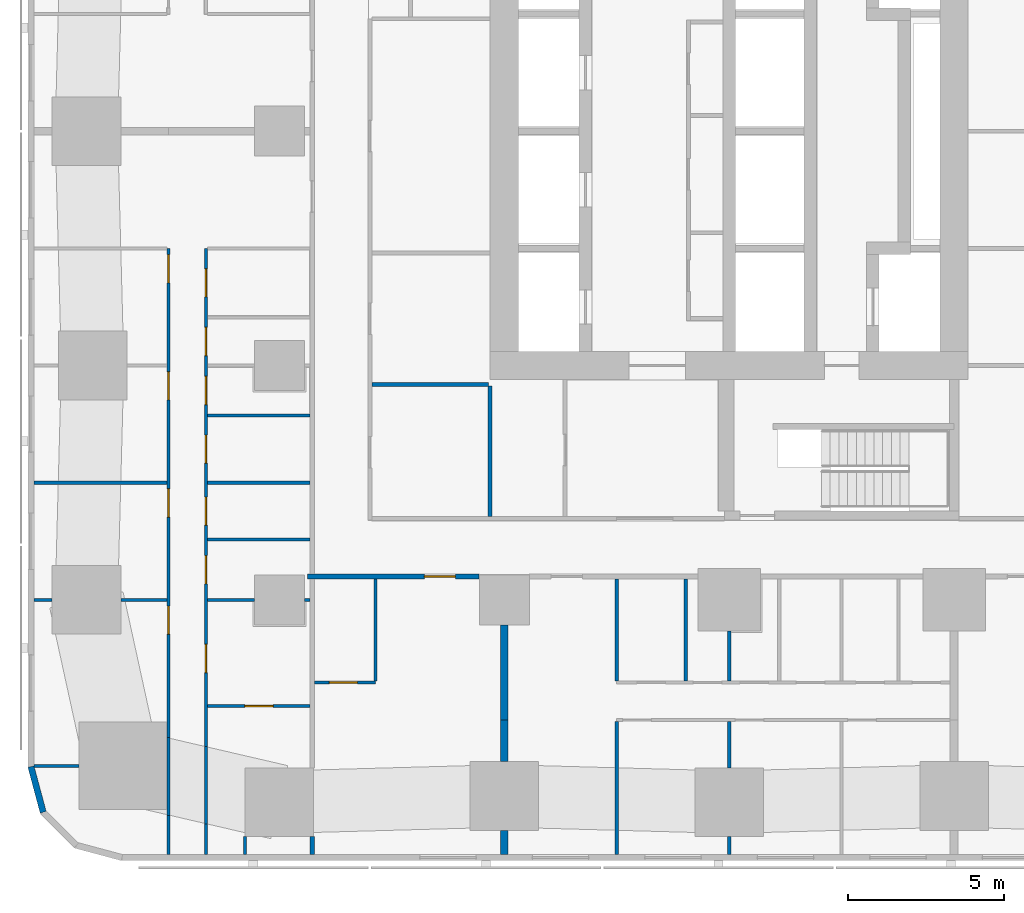
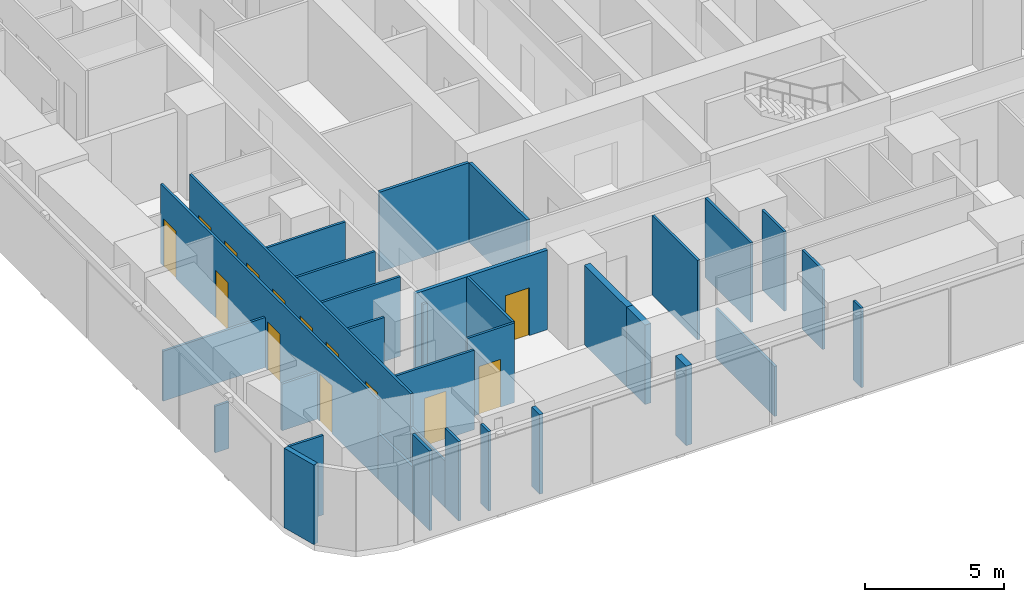
# One storey, part 2 of 15: 33 walls, 14 doors, 14 openings.
"""IFC4 building model written with IfcOpenShell, lengths in metres."""

from ifc_helpers import new_model, si_unit, direction, frame, frame_2d, origin, place, context, subcontext, project, spatial, rectangle, extrude, material, layer, layer_set, type_object, element, fill, save


model = new_model("IFC4")

# Units and contexts
model_context = context("Model", 3, precision=1e-05, world=origin(), true_north=direction((0.0, 1.0)))
body_context = subcontext(model_context, "Body", "Model", "MODEL_VIEW")
ifc_project = project(units=[si_unit("LENGTHUNIT", "METRE"), si_unit("AREAUNIT", "SQUARE_METRE"), si_unit("VOLUMEUNIT", "CUBIC_METRE"), si_unit("PLANEANGLEUNIT", "RADIAN"), si_unit("MASSUNIT", "GRAM", prefix="KILO")], contexts=[model_context])

# Site, building, storey
site_placement = place(None, origin())
site = spatial("IfcSite", under=ifc_project, at=site_placement, CompositionType="ELEMENT")
building_placement = place(site_placement, origin())
building = spatial("IfcBuilding", under=site, at=building_placement, Name="Sheger Commons Tower", CompositionType="ELEMENT")
storey_placement = place(building_placement, frame((0.0, 0.0, 77.89990234375)))
storey = spatial("IfcBuildingStorey", under=building, at=storey_placement, Name="L19", CompositionType="ELEMENT", Elevation=77.89990234375)

# Wall
ifc_material_1 = material(Name="Hollow concrete block masonry, skimmed both sides", Category="masonry")
ifc_layer_1 = layer(ifc_material_1, 0.14990234375)
ifc_layer_set_1 = layer_set([ifc_layer_1], Name="CORRIDOR WALL 150")
wall_type_1 = type_object("IfcWallType", Name="CORRIDOR WALL 150", PredefinedType="SOLIDWALL", material=ifc_layer_set_1)
wall_1_placement = place(storey_placement, frame((8.25, -0.64990234375, 0.0), z_axis=(0.0, 0.0, 1.0), x_axis=(0.0, 1.0, 0.0)))
element("IfcWall", 1, at=wall_1_placement, inside=storey, type_object=wall_type_1, Name="Corridor wall L19", PredefinedType="SOLIDWALL", context=body_context, shape_type="SweptSolid", body=[
    extrude(rectangle(XDim=0.573974609375, YDim=0.14990234375, at=frame_2d((0.287109375, 0.0))), origin(), (0.0, 0.0, 1.0), 3.5),
])

# Wall, opening, door
wall_2_placement = place(storey_placement, frame((13.59912109375, 8.25, 0.0), z_axis=(0.0, 0.0, 1.0), x_axis=(-1.0, 0.0, 0.0)))
wall_2 = element("IfcWall", 2, at=wall_2_placement, inside=storey, type_object=wall_type_1, Name="Corridor wall L19", PredefinedType="SOLIDWALL", context=body_context, shape_type="SweptSolid", body=[
    extrude(rectangle(XDim=5.4990234375, YDim=0.14990234375, at=frame_2d((2.74951171875, 0.0))), origin(), (0.0, 0.0, 1.0), 3.5),
])
opening_1_placement = place(wall_2_placement, frame((0.760009765625, 0.0, 0.0)))
opening_1 = element("IfcOpeningElement", 3, at=opening_1_placement, cuts=wall_2, Name="Opening D1", PredefinedType="OPENING", context=body_context, shape_type="SweptSolid", body=[
    extrude(rectangle(XDim=1.0, YDim=2.10009765625, at=frame_2d((0.5, 1.050048828125))), frame((0.0, 0.0849609375, 0.0), z_axis=(0.0, -1.0, 0.0), x_axis=(1.0, 0.0, 0.0)), (0.0, 0.0, 1.0), 0.169921875),
])
ifc_material_2 = material(Name="Steel door set, fire rated", Category="steel")
door_type_1 = type_object("IfcDoorType", Name="FLAT ENTRANCE DOOR 1000x2100", OperationType="NOTDEFINED", PredefinedType="DOOR", material=ifc_material_2)
door_1_placement = place(opening_1_placement, origin())
door_1 = element("IfcDoor", 4, at=door_1_placement, inside=storey, type_object=door_type_1, Name="Flat entrance door", OperationType="SINGLE_SWING_LEFT", OverallHeight=2.10009765625, OverallWidth=1.0, PredefinedType="DOOR", context=body_context, shape_type="SweptSolid", body=[
    extrude(rectangle(XDim=1.0, YDim=2.10009765625, at=frame_2d((0.5, 1.050048828125))), frame((0.0, 0.02490234375, 0.0), z_axis=(0.0, -1.0, 0.0), x_axis=(1.0, 0.0, 0.0)), (0.0, 0.0, 1.0), 0.050048828125),
])
fill(opening_1, door_1)

# Walls
ifc_material_3 = material(Name="Dense concrete block masonry, plastered both sides (separating wall between flats)", Category="masonry")
ifc_layer_2 = layer(ifc_material_3, 0.25)
ifc_layer_set_2 = layer_set([ifc_layer_2], Name="DEMISING WALL 250")
wall_type_2 = type_object("IfcWallType", Name="DEMISING WALL 250", PredefinedType="SOLIDWALL", material=ifc_layer_set_2)
wall_3_placement = place(storey_placement, frame((14.39990234375, -0.64990234375, 0.0), z_axis=(0.0, 0.0, 1.0), x_axis=(0.0, 1.0, 0.0)))
element("IfcWall", 5, at=wall_3_placement, inside=storey, type_object=wall_type_2, Name="Demising wall L19", PredefinedType="SOLIDWALL", context=body_context, shape_type="SweptSolid", body=[
    extrude(rectangle(XDim=0.77392578125, YDim=0.25, at=frame_2d((0.386962890625, 0.0))), origin(), (0.0, 0.0, 1.0), 3.5),
])
wall_4_placement = place(storey_placement, frame((14.39990234375, 2.325927734375, 0.0), z_axis=(0.0, 0.0, 1.0), x_axis=(0.0, 1.0, 0.0)))
element("IfcWall", 6, at=wall_4_placement, inside=storey, type_object=wall_type_2, Name="Demising wall L19", PredefinedType="SOLIDWALL", context=body_context, shape_type="SweptSolid", body=[
    extrude(rectangle(XDim=1.323974609375, YDim=0.25, at=frame_2d((0.662109375, 0.0))), origin(), (0.0, 0.0, 1.0), 3.5),
])
wall_5_placement = place(storey_placement, frame((14.39990234375, 3.64990234375, 0.0), z_axis=(0.0, 0.0, 1.0), x_axis=(0.0, 1.0, 0.0)))
element("IfcWall", 7, at=wall_5_placement, inside=storey, type_object=wall_type_2, Name="Demising wall L19", PredefinedType="SOLIDWALL", context=body_context, shape_type="SweptSolid", body=[
    extrude(rectangle(XDim=3.049072265625, YDim=0.25, at=frame_2d((1.5244140625, 0.0))), origin(), (0.0, 0.0, 1.0), 3.5),
])
ifc_material_4 = material(Name="Rendered concrete block masonry, dark grey", Category="masonry")
ifc_layer_3 = layer(ifc_material_4, 0.199951171875)
ifc_layer_set_3 = layer_set([ifc_layer_3], Name="FACADE WALL 200")
wall_type_3 = type_object("IfcWallType", Name="FACADE WALL 200", PredefinedType="SOLIDWALL", material=ifc_layer_set_3)
wall_6_placement = place(storey_placement, frame((-0.75, 2.1630859375, 0.0), z_axis=(0.0, 0.0, 1.0), x_axis=(0.259168954497, -0.965832000415, 0.0)))
element("IfcWall", 8, at=wall_6_placement, inside=storey, type_object=wall_type_3, Name="Facade wall L19", PredefinedType="SOLIDWALL", context=body_context, shape_type="SweptSolid", body=[
    extrude(rectangle(XDim=1.512939453125, YDim=0.199951171875, at=frame_2d((0.75634765625, 0.0))), origin(), (0.0, 0.0, 1.0), 3.5),
])
ifc_material_5 = material(Name="Gypsum board on steel studs", Category="steel")
ifc_layer_4 = layer(ifc_material_5, 0.10009765625)
ifc_layer_set_4 = layer_set([ifc_layer_4], Name="PARTITION 100")
wall_type_4 = type_object("IfcWallType", Name="PARTITION 100", PredefinedType="PARTITIONING", material=ifc_layer_set_4)
wall_7_placement = place(storey_placement, frame((6.10009765625, -0.64990234375, 0.0), z_axis=(0.0, 0.0, 1.0), x_axis=(0.0, 1.0, 0.0)))
element("IfcWall", 9, at=wall_7_placement, inside=storey, type_object=wall_type_4, Name="Partition L19", PredefinedType="PARTITIONING", context=body_context, shape_type="SweptSolid", body=[
    extrude(rectangle(XDim=0.574951171875, YDim=0.10009765625, at=frame_2d((0.28759765625, 0.0))), origin(), (0.0, 0.0, 1.0), 3.5),
])
wall_8_placement = place(storey_placement, frame((3.64990234375, -0.64990234375, 0.0), z_axis=(0.0, 0.0, 1.0), x_axis=(0.0, 1.0, 0.0)))
element("IfcWall", 10, at=wall_8_placement, inside=storey, type_object=wall_type_4, Name="Partition L19", PredefinedType="PARTITIONING", context=body_context, shape_type="SweptSolid", body=[
    extrude(rectangle(XDim=1.25390625, YDim=0.10009765625, at=frame_2d((0.626953125, 0.0))), origin(), (0.0, 0.0, 1.0), 3.5),
])
wall_9_placement = place(storey_placement, frame((3.64990234375, 0.60400390625, 0.0), z_axis=(0.0, 0.0, 1.0), x_axis=(0.0, 1.0, 0.0)))
element("IfcWall", 11, at=wall_9_placement, inside=storey, type_object=wall_type_4, Name="Partition L19", PredefinedType="PARTITIONING", context=body_context, shape_type="SweptSolid", body=[
    extrude(rectangle(XDim=2.486083984375, YDim=0.10009765625, at=frame_2d((1.2431640625, 0.0))), origin(), (0.0, 0.0, 1.0), 2.050048828125),
])

# Wall, openings, doors
wall_10_placement = place(storey_placement, frame((3.64990234375, 3.090087890625, 0.0), z_axis=(0.0, 0.0, 1.0), x_axis=(0.0, 1.0, 0.0)))
wall_10 = element("IfcWall", 12, at=wall_10_placement, inside=storey, type_object=wall_type_4, Name="Partition L19", PredefinedType="PARTITIONING", context=body_context, shape_type="SweptSolid", body=[
    extrude(rectangle(XDim=15.659912109375, YDim=0.10009765625, at=frame_2d((7.830078125, 0.0))), origin(), (0.0, 0.0, 1.0), 3.5),
])
opening_2_placement = place(wall_10_placement, frame((14.56005859375, 0.0, 0.0)))
opening_2 = element("IfcOpeningElement", 13, at=opening_2_placement, cuts=wall_10, Name="Opening D2", PredefinedType="OPENING", context=body_context, shape_type="SweptSolid", body=[
    extrude(rectangle(XDim=0.89990234375, YDim=2.10009765625, at=frame_2d((0.449951171875, 1.050048828125))), frame((0.0, 0.06005859375, 0.0), z_axis=(0.0, -1.0, 0.0), x_axis=(1.0, 0.0, 0.0)), (0.0, 0.0, 1.0), 0.1201171875),
])
opening_3_placement = place(wall_10_placement, frame((10.81005859375, 0.0, 0.0)))
opening_3 = element("IfcOpeningElement", 14, at=opening_3_placement, cuts=wall_10, Name="Opening D2", PredefinedType="OPENING", context=body_context, shape_type="SweptSolid", body=[
    extrude(rectangle(XDim=0.89990234375, YDim=2.10009765625, at=frame_2d((0.449951171875, 1.050048828125))), frame((0.0, 0.06005859375, 0.0), z_axis=(0.0, -1.0, 0.0), x_axis=(1.0, 0.0, 0.0)), (0.0, 0.0, 1.0), 0.1201171875),
])
opening_4_placement = place(wall_10_placement, frame((7.06005859375, 0.0, 0.0)))
opening_4 = element("IfcOpeningElement", 15, at=opening_4_placement, cuts=wall_10, Name="Opening D2", PredefinedType="OPENING", context=body_context, shape_type="SweptSolid", body=[
    extrude(rectangle(XDim=0.89990234375, YDim=2.10009765625, at=frame_2d((0.449951171875, 1.050048828125))), frame((0.0, 0.06005859375, 0.0), z_axis=(0.0, -1.0, 0.0), x_axis=(1.0, 0.0, 0.0)), (0.0, 0.0, 1.0), 0.1201171875),
])
opening_5_placement = place(wall_10_placement, frame((3.31005859375, 0.0, 0.0)))
opening_5 = element("IfcOpeningElement", 16, at=opening_5_placement, cuts=wall_10, Name="Opening D2", PredefinedType="OPENING", context=body_context, shape_type="SweptSolid", body=[
    extrude(rectangle(XDim=0.89990234375, YDim=2.10009765625, at=frame_2d((0.449951171875, 1.050048828125))), frame((0.0, 0.06005859375, 0.0), z_axis=(0.0, -1.0, 0.0), x_axis=(1.0, 0.0, 0.0)), (0.0, 0.0, 1.0), 0.1201171875),
])
ifc_material_6 = material(Name="Timber door set", Category="wood")
door_type_2 = type_object("IfcDoorType", Name="INTERNAL DOOR 900x2100", OperationType="NOTDEFINED", PredefinedType="DOOR", material=ifc_material_6)
door_2_placement = place(opening_2_placement, origin())
door_2 = element("IfcDoor", 17, at=door_2_placement, inside=storey, type_object=door_type_2, Name="Main bedroom door", OperationType="SINGLE_SWING_RIGHT", OverallHeight=2.10009765625, OverallWidth=0.89990234375, PredefinedType="DOOR", context=body_context, shape_type="SweptSolid", body=[
    extrude(rectangle(XDim=0.89990234375, YDim=2.10009765625, at=frame_2d((0.449951171875, 1.050048828125))), frame((0.0, 0.02490234375, 0.0), z_axis=(0.0, -1.0, 0.0), x_axis=(1.0, 0.0, 0.0)), (0.0, 0.0, 1.0), 0.050048828125),
])
fill(opening_2, door_2)
door_3_placement = place(opening_3_placement, origin())
door_3 = element("IfcDoor", 18, at=door_3_placement, inside=storey, type_object=door_type_2, Name="Bedroom 2 door", OperationType="SINGLE_SWING_RIGHT", OverallHeight=2.10009765625, OverallWidth=0.89990234375, PredefinedType="DOOR", context=body_context, shape_type="SweptSolid", body=[
    extrude(rectangle(XDim=0.89990234375, YDim=2.10009765625, at=frame_2d((0.449951171875, 1.050048828125))), frame((0.0, 0.02490234375, 0.0), z_axis=(0.0, -1.0, 0.0), x_axis=(1.0, 0.0, 0.0)), (0.0, 0.0, 1.0), 0.050048828125),
])
fill(opening_3, door_3)
door_4_placement = place(opening_4_placement, origin())
door_4 = element("IfcDoor", 19, at=door_4_placement, inside=storey, type_object=door_type_2, Name="Bedroom 3 door", OperationType="SINGLE_SWING_RIGHT", OverallHeight=2.10009765625, OverallWidth=0.89990234375, PredefinedType="DOOR", context=body_context, shape_type="SweptSolid", body=[
    extrude(rectangle(XDim=0.89990234375, YDim=2.10009765625, at=frame_2d((0.449951171875, 1.050048828125))), frame((0.0, 0.02490234375, 0.0), z_axis=(0.0, -1.0, 0.0), x_axis=(1.0, 0.0, 0.0)), (0.0, 0.0, 1.0), 0.050048828125),
])
fill(opening_4, door_4)
door_5_placement = place(opening_5_placement, origin())
door_5 = element("IfcDoor", 20, at=door_5_placement, inside=storey, type_object=door_type_2, Name="Bedroom 4 door", OperationType="SINGLE_SWING_RIGHT", OverallHeight=2.10009765625, OverallWidth=0.89990234375, PredefinedType="DOOR", context=body_context, shape_type="SweptSolid", body=[
    extrude(rectangle(XDim=0.89990234375, YDim=2.10009765625, at=frame_2d((0.449951171875, 1.050048828125))), frame((0.0, 0.02490234375, 0.0), z_axis=(0.0, -1.0, 0.0), x_axis=(1.0, 0.0, 0.0)), (0.0, 0.0, 1.0), 0.050048828125),
])
fill(opening_5, door_5)

# Walls
wall_11_placement = place(storey_placement, frame((4.85009765625, -0.64990234375, 0.0), z_axis=(0.0, 0.0, 1.0), x_axis=(0.0, 1.0, 0.0)))
element("IfcWall", 21, at=wall_11_placement, inside=storey, type_object=wall_type_4, Name="Partition L19", PredefinedType="PARTITIONING", context=body_context, shape_type="SweptSolid", body=[
    extrude(rectangle(XDim=0.975830078125, YDim=0.10009765625, at=frame_2d((0.48779296875, 0.0))), origin(), (0.0, 0.0, 1.0), 3.5),
])
wall_12_placement = place(storey_placement, frame((4.85009765625, 0.325927734375, 0.0), z_axis=(0.0, 0.0, 1.0), x_axis=(0.0, 1.0, 0.0)))
element("IfcWall", 22, at=wall_12_placement, inside=storey, type_object=wall_type_4, Name="Partition L19", PredefinedType="PARTITIONING", context=body_context, shape_type="SweptSolid", body=[
    extrude(rectangle(XDim=2.486083984375, YDim=0.10009765625, at=frame_2d((1.2431640625, 0.0))), origin(), (0.0, 0.0, 1.0), 2.050048828125),
])

# Wall, openings, doors
wall_13_placement = place(storey_placement, frame((4.85009765625, 2.81201171875, 0.0), z_axis=(0.0, 0.0, 1.0), x_axis=(0.0, 1.0, 0.0)))
wall_13 = element("IfcWall", 23, at=wall_13_placement, inside=storey, type_object=wall_type_4, Name="Partition L19", PredefinedType="PARTITIONING", context=body_context, shape_type="SweptSolid", body=[
    extrude(rectangle(XDim=15.93798828125, YDim=0.10009765625, at=frame_2d((7.968994140625, 0.0))), origin(), (0.0, 0.0, 1.0), 3.5),
])
opening_6_placement = place(wall_13_placement, frame((14.383056640625, 0.0, 0.0)))
opening_6 = element("IfcOpeningElement", 24, at=opening_6_placement, cuts=wall_13, Name="Opening D2", PredefinedType="OPENING", context=body_context, shape_type="SweptSolid", body=[
    extrude(rectangle(XDim=0.89990234375, YDim=2.10009765625, at=frame_2d((0.449951171875, 1.050048828125))), frame((0.0, 0.06005859375, 0.0), z_axis=(0.0, -1.0, 0.0), x_axis=(1.0, 0.0, 0.0)), (0.0, 0.0, 1.0), 0.1201171875),
])
opening_7_placement = place(wall_13_placement, frame((10.93798828125, 0.0, 0.0)))
opening_7 = element("IfcOpeningElement", 25, at=opening_7_placement, cuts=wall_13, Name="Opening D2", PredefinedType="OPENING", context=body_context, shape_type="SweptSolid", body=[
    extrude(rectangle(XDim=0.89990234375, YDim=2.10009765625, at=frame_2d((0.449951171875, 1.050048828125))), frame((0.0, 0.06005859375, 0.0), z_axis=(0.0, -1.0, 0.0), x_axis=(1.0, 0.0, 0.0)), (0.0, 0.0, 1.0), 0.1201171875),
])
opening_8_placement = place(wall_13_placement, frame((7.077880859375, 0.0, 0.0)))
opening_8 = element("IfcOpeningElement", 26, at=opening_8_placement, cuts=wall_13, Name="Opening D2", PredefinedType="OPENING", context=body_context, shape_type="SweptSolid", body=[
    extrude(rectangle(XDim=0.89990234375, YDim=2.10009765625, at=frame_2d((0.449951171875, 1.050048828125))), frame((0.0, 0.06005859375, 0.0), z_axis=(0.0, -1.0, 0.0), x_axis=(1.0, 0.0, 0.0)), (0.0, 0.0, 1.0), 0.1201171875),
])
opening_9_placement = place(wall_13_placement, frame((2.363037109375, 0.0, 0.0)))
opening_9 = element("IfcOpeningElement", 27, at=opening_9_placement, cuts=wall_13, Name="Opening D2", PredefinedType="OPENING", context=body_context, shape_type="SweptSolid", body=[
    extrude(rectangle(XDim=0.89990234375, YDim=2.10009765625, at=frame_2d((0.449951171875, 1.050048828125))), frame((0.0, 0.06005859375, 0.0), z_axis=(0.0, -1.0, 0.0), x_axis=(1.0, 0.0, 0.0)), (0.0, 0.0, 1.0), 0.1201171875),
])
opening_10_placement = place(wall_13_placement, frame((12.508056640625, 0.0, 0.0)))
opening_10 = element("IfcOpeningElement", 28, at=opening_10_placement, cuts=wall_13, Name="Opening D2", PredefinedType="OPENING", context=body_context, shape_type="SweptSolid", body=[
    extrude(rectangle(XDim=0.89990234375, YDim=2.10009765625, at=frame_2d((0.449951171875, 1.050048828125))), frame((0.0, 0.06005859375, 0.0), z_axis=(0.0, -1.0, 0.0), x_axis=(1.0, 0.0, 0.0)), (0.0, 0.0, 1.0), 0.1201171875),
])
opening_11_placement = place(wall_13_placement, frame((9.06298828125, 0.0, 0.0)))
opening_11 = element("IfcOpeningElement", 29, at=opening_11_placement, cuts=wall_13, Name="Opening D2", PredefinedType="OPENING", context=body_context, shape_type="SweptSolid", body=[
    extrude(rectangle(XDim=0.89990234375, YDim=2.10009765625, at=frame_2d((0.449951171875, 1.050048828125))), frame((0.0, 0.06005859375, 0.0), z_axis=(0.0, -1.0, 0.0), x_axis=(1.0, 0.0, 0.0)), (0.0, 0.0, 1.0), 0.1201171875),
])
opening_12_placement = place(wall_13_placement, frame((5.202880859375, 0.0, 0.0)))
opening_12 = element("IfcOpeningElement", 30, at=opening_12_placement, cuts=wall_13, Name="Opening D2", PredefinedType="OPENING", context=body_context, shape_type="SweptSolid", body=[
    extrude(rectangle(XDim=0.89990234375, YDim=2.10009765625, at=frame_2d((0.449951171875, 1.050048828125))), frame((0.0, 0.06005859375, 0.0), z_axis=(0.0, -1.0, 0.0), x_axis=(1.0, 0.0, 0.0)), (0.0, 0.0, 1.0), 0.1201171875),
])
door_6_placement = place(opening_6_placement, origin())
door_6 = element("IfcDoor", 31, at=door_6_placement, inside=storey, type_object=door_type_2, Name="Bathroom door", OperationType="SINGLE_SWING_LEFT", OverallHeight=2.10009765625, OverallWidth=0.89990234375, PredefinedType="DOOR", context=body_context, shape_type="SweptSolid", body=[
    extrude(rectangle(XDim=0.89990234375, YDim=2.10009765625, at=frame_2d((0.449951171875, 1.050048828125))), frame((0.0, 0.02490234375, 0.0), z_axis=(0.0, -1.0, 0.0), x_axis=(1.0, 0.0, 0.0)), (0.0, 0.0, 1.0), 0.050048828125),
])
fill(opening_6, door_6)
door_7_placement = place(opening_7_placement, origin())
door_7 = element("IfcDoor", 32, at=door_7_placement, inside=storey, type_object=door_type_2, Name="Shower room door", OperationType="SINGLE_SWING_RIGHT", OverallHeight=2.10009765625, OverallWidth=0.89990234375, PredefinedType="DOOR", context=body_context, shape_type="SweptSolid", body=[
    extrude(rectangle(XDim=0.89990234375, YDim=2.10009765625, at=frame_2d((0.449951171875, 1.050048828125))), frame((0.0, 0.02490234375, 0.0), z_axis=(0.0, -1.0, 0.0), x_axis=(1.0, 0.0, 0.0)), (0.0, 0.0, 1.0), 0.050048828125),
])
fill(opening_7, door_7)
door_8_placement = place(opening_8_placement, origin())
door_8 = element("IfcDoor", 33, at=door_8_placement, inside=storey, type_object=door_type_2, Name="Laundry room door", OperationType="SINGLE_SWING_RIGHT", OverallHeight=2.10009765625, OverallWidth=0.89990234375, PredefinedType="DOOR", context=body_context, shape_type="SweptSolid", body=[
    extrude(rectangle(XDim=0.89990234375, YDim=2.10009765625, at=frame_2d((0.449951171875, 1.050048828125))), frame((0.0, 0.02490234375, 0.0), z_axis=(0.0, -1.0, 0.0), x_axis=(1.0, 0.0, 0.0)), (0.0, 0.0, 1.0), 0.050048828125),
])
fill(opening_8, door_8)
door_9_placement = place(opening_9_placement, origin())
door_9 = element("IfcDoor", 34, at=door_9_placement, inside=storey, type_object=door_type_2, Name="Store and laundry door", OperationType="SINGLE_SWING_RIGHT", OverallHeight=2.10009765625, OverallWidth=0.89990234375, PredefinedType="DOOR", context=body_context, shape_type="SweptSolid", body=[
    extrude(rectangle(XDim=0.89990234375, YDim=2.10009765625, at=frame_2d((0.449951171875, 1.050048828125))), frame((0.0, 0.02490234375, 0.0), z_axis=(0.0, -1.0, 0.0), x_axis=(1.0, 0.0, 0.0)), (0.0, 0.0, 1.0), 0.050048828125),
])
fill(opening_9, door_9)
door_10_placement = place(opening_10_placement, origin())
door_10 = element("IfcDoor", 35, at=door_10_placement, inside=storey, type_object=door_type_2, Name="Store door", OperationType="SINGLE_SWING_LEFT", OverallHeight=2.10009765625, OverallWidth=0.89990234375, PredefinedType="DOOR", context=body_context, shape_type="SweptSolid", body=[
    extrude(rectangle(XDim=0.89990234375, YDim=2.10009765625, at=frame_2d((0.449951171875, 1.050048828125))), frame((0.0, 0.02490234375, 0.0), z_axis=(0.0, -1.0, 0.0), x_axis=(1.0, 0.0, 0.0)), (0.0, 0.0, 1.0), 0.050048828125),
])
fill(opening_10, door_10)
door_11_placement = place(opening_11_placement, origin())
door_11 = element("IfcDoor", 36, at=door_11_placement, inside=storey, type_object=door_type_2, Name="Store door", OperationType="SINGLE_SWING_LEFT", OverallHeight=2.10009765625, OverallWidth=0.89990234375, PredefinedType="DOOR", context=body_context, shape_type="SweptSolid", body=[
    extrude(rectangle(XDim=0.89990234375, YDim=2.10009765625, at=frame_2d((0.449951171875, 1.050048828125))), frame((0.0, 0.02490234375, 0.0), z_axis=(0.0, -1.0, 0.0), x_axis=(1.0, 0.0, 0.0)), (0.0, 0.0, 1.0), 0.050048828125),
])
fill(opening_11, door_11)
door_12_placement = place(opening_12_placement, origin())
door_12 = element("IfcDoor", 37, at=door_12_placement, inside=storey, type_object=door_type_2, Name="Store door", OperationType="SINGLE_SWING_RIGHT", OverallHeight=2.10009765625, OverallWidth=0.89990234375, PredefinedType="DOOR", context=body_context, shape_type="SweptSolid", body=[
    extrude(rectangle(XDim=0.89990234375, YDim=2.10009765625, at=frame_2d((0.449951171875, 1.050048828125))), frame((0.0, 0.02490234375, 0.0), z_axis=(0.0, -1.0, 0.0), x_axis=(1.0, 0.0, 0.0)), (0.0, 0.0, 1.0), 0.050048828125),
])
fill(opening_12, door_12)

# Walls
wall_14_placement = place(storey_placement, frame((-0.64990234375, 2.18603515625, 0.0), z_axis=(0.0, 0.0, 1.0), x_axis=(1.0, 0.0, 0.0)))
element("IfcWall", 38, at=wall_14_placement, inside=storey, type_object=wall_type_4, Name="Partition L19", PredefinedType="PARTITIONING", context=body_context, shape_type="SweptSolid", body=[
    extrude(rectangle(XDim=1.434814453125, YDim=0.10009765625, at=frame_2d((0.71728515625, 0.0))), origin(), (0.0, 0.0, 1.0), 3.5),
])
wall_15_placement = place(storey_placement, frame((-0.64990234375, 7.5, 0.0), z_axis=(0.0, 0.0, 1.0), x_axis=(1.0, 0.0, 0.0)))
element("IfcWall", 39, at=wall_15_placement, inside=storey, type_object=wall_type_4, Name="Partition L19", PredefinedType="PARTITIONING", context=body_context, shape_type="SweptSolid", body=[
    extrude(rectangle(XDim=0.573974609375, YDim=0.10009765625, at=frame_2d((0.287109375, 0.0))), origin(), (0.0, 0.0, 1.0), 2.050048828125),
])
wall_16_placement = place(storey_placement, frame((2.1259765625, 7.5, 0.0), z_axis=(0.0, 0.0, 1.0), x_axis=(1.0, 0.0, 0.0)))
element("IfcWall", 40, at=wall_16_placement, inside=storey, type_object=wall_type_4, Name="Partition L19", PredefinedType="PARTITIONING", context=body_context, shape_type="SweptSolid", body=[
    extrude(rectangle(XDim=1.47412109375, YDim=0.10009765625, at=frame_2d((0.737060546875, 0.0))), origin(), (0.0, 0.0, 1.0), 2.050048828125),
])
wall_17_placement = place(storey_placement, frame((-0.64990234375, 11.25, 0.0), z_axis=(0.0, 0.0, 1.0), x_axis=(1.0, 0.0, 0.0)))
element("IfcWall", 41, at=wall_17_placement, inside=storey, type_object=wall_type_4, Name="Partition L19", PredefinedType="PARTITIONING", context=body_context, shape_type="SweptSolid", body=[
    extrude(rectangle(XDim=4.25, YDim=0.10009765625, at=frame_2d((2.125, 0.0))), origin(), (0.0, 0.0, 1.0), 2.2001953125),
])
wall_18_placement = place(storey_placement, frame((4.89990234375, 7.5, 0.0), z_axis=(0.0, 0.0, 1.0), x_axis=(1.0, 0.0, 0.0)))
element("IfcWall", 42, at=wall_18_placement, inside=storey, type_object=wall_type_4, Name="Partition L19", PredefinedType="PARTITIONING", context=body_context, shape_type="SweptSolid", body=[
    extrude(rectangle(XDim=1.4990234375, YDim=0.10009765625, at=frame_2d((0.74951171875, 0.0))), origin(), (0.0, 0.0, 1.0), 3.5),
])
wall_19_placement = place(storey_placement, frame((8.0009765625, 7.5, 0.0), z_axis=(0.0, 0.0, 1.0), x_axis=(1.0, 0.0, 0.0)))
element("IfcWall", 43, at=wall_19_placement, inside=storey, type_object=wall_type_4, Name="Partition L19", PredefinedType="PARTITIONING", context=body_context, shape_type="SweptSolid", body=[
    extrude(rectangle(XDim=0.174072265625, YDim=0.10009765625, at=frame_2d((0.0869140625, 0.0))), origin(), (0.0, 0.0, 1.0), 3.5),
])
for number, where, z_axis, x_axis, name in (
    (44, (4.89990234375, 11.25, 0.0), (0.0, 0.0, 1.0), (1.0, 0.0, 0.0), "Partition L19"),
    (45, (4.89990234375, 13.39990234375, 0.0), (0.0, 0.0, 1.0), (1.0, 0.0, 0.0), "Partition L19"),
    (46, (4.89990234375, 9.429931640625, 0.0), (0.0, 0.0, 1.0), (1.0, 0.0, 0.0), "Partition L19"),
):
    element("IfcWall", number, at=place(storey_placement, frame(where, z_axis=z_axis, x_axis=x_axis)), inside=storey, type_object=wall_type_4, Name=name, PredefinedType="PARTITIONING", context=body_context, shape_type="SweptSolid", body=[
        extrude(rectangle(XDim=3.275146484375, YDim=0.10009765625, at=frame_2d((1.6376953125, 0.0))), origin(), (0.0, 0.0, 1.0), 3.5),
    ])

# Wall, opening, door
wall_20_placement = place(storey_placement, frame((10.279052734375, 4.85009765625, 0.0), z_axis=(0.0, 0.0, 1.0), x_axis=(-1.0, 0.0, 0.0)))
wall_20 = element("IfcWall", 47, at=wall_20_placement, inside=storey, type_object=wall_type_4, Name="Partition L19", PredefinedType="PARTITIONING", context=body_context, shape_type="SweptSolid", body=[
    extrude(rectangle(XDim=1.9541015625, YDim=0.10009765625, at=frame_2d((0.97705078125, 0.0))), origin(), (0.0, 0.0, 1.0), 3.5),
])
opening_13_placement = place(wall_20_placement, frame((0.5791015625, 0.0, 0.0)))
opening_13 = element("IfcOpeningElement", 48, at=opening_13_placement, cuts=wall_20, Name="Opening D2", PredefinedType="OPENING", context=body_context, shape_type="SweptSolid", body=[
    extrude(rectangle(XDim=0.89990234375, YDim=2.10009765625, at=frame_2d((0.449951171875, 1.050048828125))), frame((0.0, 0.06005859375, 0.0), z_axis=(0.0, -1.0, 0.0), x_axis=(1.0, 0.0, 0.0)), (0.0, 0.0, 1.0), 0.1201171875),
])
door_13_placement = place(opening_13_placement, origin())
door_13 = element("IfcDoor", 49, at=door_13_placement, inside=storey, type_object=door_type_2, Name="Shower room door", OperationType="SINGLE_SWING_LEFT", OverallHeight=2.10009765625, OverallWidth=0.89990234375, PredefinedType="DOOR", context=body_context, shape_type="SweptSolid", body=[
    extrude(rectangle(XDim=0.89990234375, YDim=2.10009765625, at=frame_2d((0.449951171875, 1.050048828125))), frame((0.0, 0.02490234375, 0.0), z_axis=(0.0, -1.0, 0.0), x_axis=(1.0, 0.0, 0.0)), (0.0, 0.0, 1.0), 0.050048828125),
])
fill(opening_13, door_13)

# Walls
wall_21_placement = place(storey_placement, frame((10.279052734375, 4.89990234375, 0.0), z_axis=(0.0, 0.0, 1.0), x_axis=(0.0, 1.0, 0.0)))
element("IfcWall", 50, at=wall_21_placement, inside=storey, type_object=wall_type_4, Name="Partition L19", PredefinedType="PARTITIONING", context=body_context, shape_type="SweptSolid", body=[
    extrude(rectangle(XDim=3.275146484375, YDim=0.10009765625, at=frame_2d((1.6376953125, 0.0))), origin(), (0.0, 0.0, 1.0), 3.5),
])
wall_22_placement = place(storey_placement, frame((18.0, -0.64990234375, 0.0), z_axis=(0.0, 0.0, 1.0), x_axis=(0.0, 1.0, 0.0)))
element("IfcWall", 51, at=wall_22_placement, inside=storey, type_object=wall_type_4, Name="Partition L19", PredefinedType="PARTITIONING", context=body_context, shape_type="SweptSolid", body=[
    extrude(rectangle(XDim=4.25, YDim=0.10009765625, at=frame_2d((2.125, 0.0))), origin(), (0.0, 0.0, 1.0), 2.2001953125),
])
wall_23_placement = place(storey_placement, frame((21.60009765625, -0.64990234375, 0.0), z_axis=(0.0, 0.0, 1.0), x_axis=(0.0, 1.0, 0.0)))
element("IfcWall", 52, at=wall_23_placement, inside=storey, type_object=wall_type_4, Name="Partition L19", PredefinedType="PARTITIONING", context=body_context, shape_type="SweptSolid", body=[
    extrude(rectangle(XDim=0.573974609375, YDim=0.10009765625, at=frame_2d((0.287109375, 0.0))), origin(), (0.0, 0.0, 1.0), 3.5),
])
wall_24_placement = place(storey_placement, frame((21.60009765625, 2.1259765625, 0.0), z_axis=(0.0, 0.0, 1.0), x_axis=(0.0, 1.0, 0.0)))
element("IfcWall", 53, at=wall_24_placement, inside=storey, type_object=wall_type_4, Name="Partition L19", PredefinedType="PARTITIONING", context=body_context, shape_type="SweptSolid", body=[
    extrude(rectangle(XDim=1.47412109375, YDim=0.10009765625, at=frame_2d((0.737060546875, 0.0))), origin(), (0.0, 0.0, 1.0), 3.5),
])
wall_25_placement = place(storey_placement, frame((18.0, 4.89990234375, 0.0), z_axis=(0.0, 0.0, 1.0), x_axis=(0.0, 1.0, 0.0)))
element("IfcWall", 54, at=wall_25_placement, inside=storey, type_object=wall_type_4, Name="Partition L19", PredefinedType="PARTITIONING", context=body_context, shape_type="SweptSolid", body=[
    extrude(rectangle(XDim=3.275146484375, YDim=0.10009765625, at=frame_2d((1.6376953125, 0.0))), origin(), (0.0, 0.0, 1.0), 3.5),
])
wall_26_placement = place(storey_placement, frame((21.60009765625, 4.89990234375, 0.0), z_axis=(0.0, 0.0, 1.0), x_axis=(0.0, 1.0, 0.0)))
element("IfcWall", 55, at=wall_26_placement, inside=storey, type_object=wall_type_4, Name="Partition L19", PredefinedType="PARTITIONING", context=body_context, shape_type="SweptSolid", body=[
    extrude(rectangle(XDim=1.59912109375, YDim=0.10009765625, at=frame_2d((0.799560546875, 0.0))), origin(), (0.0, 0.0, 1.0), 3.5),
])
wall_27_placement = place(storey_placement, frame((20.2099609375, 4.89990234375, 0.0), z_axis=(0.0, 0.0, 1.0), x_axis=(0.0, 1.0, 0.0)))
element("IfcWall", 56, at=wall_27_placement, inside=storey, type_object=wall_type_4, Name="Partition L19", PredefinedType="PARTITIONING", context=body_context, shape_type="SweptSolid", body=[
    extrude(rectangle(XDim=3.275146484375, YDim=0.10009765625, at=frame_2d((1.6376953125, 0.0))), origin(), (0.0, 0.0, 1.0), 3.5),
])

# Wall, opening, door
wall_28_placement = place(storey_placement, frame((8.175048828125, 4.10009765625, 0.0), z_axis=(0.0, 0.0, 1.0), x_axis=(-1.0, 0.0, 0.0)))
wall_28 = element("IfcWall", 57, at=wall_28_placement, inside=storey, type_object=wall_type_4, Name="Partition L19", PredefinedType="PARTITIONING", context=body_context, shape_type="SweptSolid", body=[
    extrude(rectangle(XDim=3.275146484375, YDim=0.10009765625, at=frame_2d((1.6376953125, 0.0))), origin(), (0.0, 0.0, 1.0), 3.5),
])
opening_14_placement = place(wall_28_placement, frame((1.175048828125, 0.0, 0.0)))
opening_14 = element("IfcOpeningElement", 58, at=opening_14_placement, cuts=wall_28, Name="Opening D2", PredefinedType="OPENING", context=body_context, shape_type="SweptSolid", body=[
    extrude(rectangle(XDim=0.89990234375, YDim=2.10009765625, at=frame_2d((0.449951171875, 1.050048828125))), frame((0.0, 0.06005859375, 0.0), z_axis=(0.0, -1.0, 0.0), x_axis=(1.0, 0.0, 0.0)), (0.0, 0.0, 1.0), 0.1201171875),
])
door_14_placement = place(opening_14_placement, origin())
door_14 = element("IfcDoor", 59, at=door_14_placement, inside=storey, type_object=door_type_2, Name="Store door", OperationType="SINGLE_SWING_RIGHT", OverallHeight=2.10009765625, OverallWidth=0.89990234375, PredefinedType="DOOR", context=body_context, shape_type="SweptSolid", body=[
    extrude(rectangle(XDim=0.89990234375, YDim=2.10009765625, at=frame_2d((0.449951171875, 1.050048828125))), frame((0.0, 0.02490234375, 0.0), z_axis=(0.0, -1.0, 0.0), x_axis=(1.0, 0.0, 0.0)), (0.0, 0.0, 1.0), 0.050048828125),
])
fill(opening_14, door_14)

# Walls
ifc_material_7 = material(Name="Gypsum board on steel studs, two layers each side, fire rated", Category="steel")
ifc_layer_5 = layer(ifc_material_7, 0.125)
ifc_layer_set_5 = layer_set([ifc_layer_5], Name="SERVICE WALL 125")
wall_type_5 = type_object("IfcWallType", Name="SERVICE WALL 125", PredefinedType="PARTITIONING", material=ifc_layer_set_5)
wall_29_placement = place(storey_placement, frame((10.1630859375, 14.39990234375, 0.0), z_axis=(0.0, 0.0, 1.0), x_axis=(1.0, 0.0, 0.0)))
element("IfcWall", 60, at=wall_29_placement, inside=storey, type_object=wall_type_5, Name="Service room wall L19", PredefinedType="PARTITIONING", context=body_context, shape_type="SweptSolid", body=[
    extrude(rectangle(XDim=3.724853515625, YDim=0.125, at=frame_2d((1.8623046875, 0.0))), origin(), (0.0, 0.0, 1.0), 3.5),
])
wall_30_placement = place(storey_placement, frame((13.949951171875, 10.1630859375, 0.0), z_axis=(0.0, 0.0, 1.0), x_axis=(0.0, 1.0, 0.0)))
element("IfcWall", 61, at=wall_30_placement, inside=storey, type_object=wall_type_5, Name="Service room wall L19", PredefinedType="PARTITIONING", context=body_context, shape_type="SweptSolid", body=[
    extrude(rectangle(XDim=4.1748046875, YDim=0.125, at=frame_2d((2.08740234375, 0.0))), origin(), (0.0, 0.0, 1.0), 3.5),
])

save(model, "model.ifc")
